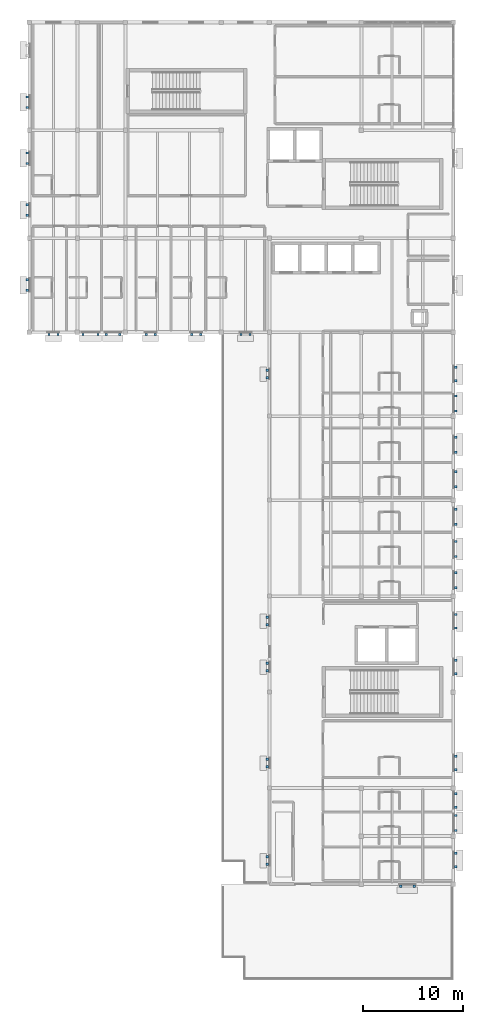
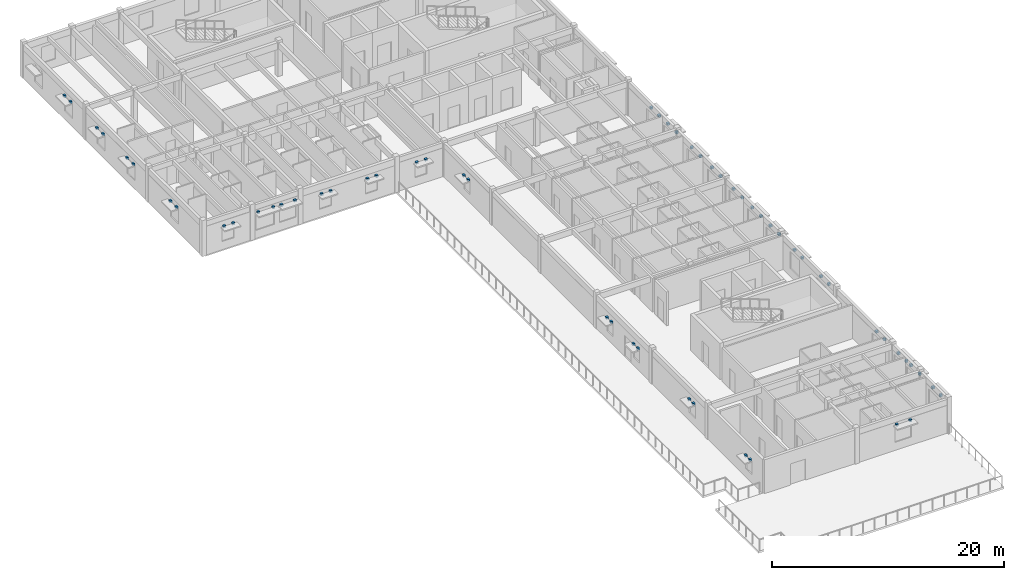
# One storey, part 12 of 18: 58 discrete accessories.
"""IFC4 building model written with IfcOpenShell, lengths in metres."""

from ifc_helpers import new_model, si_unit, direction, frame, origin, origin_2d, place, context, subcontext, project, spatial, rectangle, extrude, material, type_object, element, save


model = new_model("IFC4")

# Units and contexts
model_context = context("Model", 3, precision=1e-05, world=origin(), true_north=direction((0.0, 1.0)))
body_context = subcontext(model_context, "Body", "Model", "MODEL_VIEW")
ifc_project = project(units=[si_unit("LENGTHUNIT", "METRE"), si_unit("AREAUNIT", "SQUARE_METRE"), si_unit("VOLUMEUNIT", "CUBIC_METRE"), si_unit("PLANEANGLEUNIT", "RADIAN"), si_unit("MASSUNIT", "GRAM", prefix="KILO")], contexts=[model_context])

# Site, building, storey
site_placement = place(None, origin())
site = spatial("IfcSite", under=ifc_project, at=site_placement, CompositionType="ELEMENT")
building_placement = place(site_placement, origin())
building = spatial("IfcBuilding", under=site, at=building_placement, Name="Veldera Park Congress Hotel", CompositionType="ELEMENT")
storey_placement = place(building_placement, frame((0.0, 0.0, 31.39990234375)))
storey = spatial("IfcBuildingStorey", under=building, at=storey_placement, Name="L07", CompositionType="ELEMENT", Elevation=31.39990234375)

# Discrete accessories
ifc_material = material(Name="Steel ASTM A992 Gr.50", Category="steel")
discrete_accessory_type = type_object("IfcDiscreteAccessoryType", Name="ACC-BRK160", PredefinedType="BRACKET", material=ifc_material)
for number, where, z_axis, x_axis, name in (
    (1, (78.72509765625, -28.429931640625, 2.6201171875), (0.0, 0.0, 1.0), (1.0, 0.0, 0.0), "Shading Steel Outrigger Bracket 187L"),
    (2, (80.074951171875, -28.429931640625, 2.6201171875), (0.0, 0.0, 1.0), (1.0, 0.0, 0.0), "Shading Steel Outrigger Bracket 187R"),
    (3, (84.22998046875, -26.47509765625, 2.6201171875), (0.0, 0.0, 1.0), (0.0, 1.0, 0.0), "Shading Steel Outrigger Bracket 188L"),
    (4, (84.22998046875, -25.125, 2.6201171875), (0.0, 0.0, 1.0), (0.0, 1.0, 0.0), "Shading Steel Outrigger Bracket 188R"),
    (5, (84.22998046875, -16.763427734375, 2.6201171875), (0.0, 0.0, 1.0), (0.0, 1.0, 0.0), "Shading Steel Outrigger Bracket 189L"),
    (6, (84.22998046875, -15.41357421875, 2.6201171875), (0.0, 0.0, 1.0), (0.0, 1.0, 0.0), "Shading Steel Outrigger Bracket 189R"),
    (7, (84.22998046875, -7.16357421875, 2.6201171875), (0.0, 0.0, 1.0), (0.0, 1.0, 0.0), "Shading Steel Outrigger Bracket 190L"),
    (8, (84.22998046875, -5.8134765625, 2.6201171875), (0.0, 0.0, 1.0), (0.0, 1.0, 0.0), "Shading Steel Outrigger Bracket 190R"),
    (9, (84.22998046875, -2.58642578125, 2.6201171875), (0.0, 0.0, 1.0), (0.0, 1.0, 0.0), "Shading Steel Outrigger Bracket 191L"),
    (10, (84.22998046875, -1.236572265625, 2.6201171875), (0.0, 0.0, 1.0), (0.0, 1.0, 0.0), "Shading Steel Outrigger Bracket 191R"),
    (11, (84.22998046875, 22.125, 2.6201171875), (0.0, 0.0, 1.0), (0.0, 1.0, 0.0), "Shading Steel Outrigger Bracket 192L"),
    (12, (84.22998046875, 23.47509765625, 2.6201171875), (0.0, 0.0, 1.0), (0.0, 1.0, 0.0), "Shading Steel Outrigger Bracket 192R"),
    (13, (41.3701171875, 50.525146484375, 2.47021484375), (0.0, 0.0, 1.0), (0.0, -1.0, 0.0), "Shading Steel Outrigger Bracket 196L"),
    (14, (41.3701171875, 49.47509765625, 2.47021484375), (0.0, 0.0, 1.0), (0.0, -1.0, 0.0), "Shading Steel Outrigger Bracket 196R"),
    (15, (41.3701171875, 44.9208984375, 2.47021484375), (0.0, 0.0, 1.0), (0.0, -1.0, 0.0), "Shading Steel Outrigger Bracket 197L"),
    (16, (41.3701171875, 43.87109375, 2.47021484375), (0.0, 0.0, 1.0), (0.0, -1.0, 0.0), "Shading Steel Outrigger Bracket 197R"),
    (17, (41.3701171875, 39.72900390625, 2.47021484375), (0.0, 0.0, 1.0), (0.0, -1.0, 0.0), "Shading Steel Outrigger Bracket 198L"),
    (18, (41.3701171875, 38.678955078125, 2.47021484375), (0.0, 0.0, 1.0), (0.0, -1.0, 0.0), "Shading Steel Outrigger Bracket 198R"),
    (19, (41.3701171875, 32.232421875, 2.47021484375), (0.0, 0.0, 1.0), (0.0, -1.0, 0.0), "Shading Steel Outrigger Bracket 199L"),
    (20, (41.3701171875, 31.1826171875, 2.47021484375), (0.0, 0.0, 1.0), (0.0, -1.0, 0.0), "Shading Steel Outrigger Bracket 199R"),
    (21, (43.550048828125, 26.77001953125, 2.3701171875), (0.0, 0.0, 1.0), (1.0, 0.0, 0.0), "Shading Steel Outrigger Bracket 200L"),
    (22, (44.449951171875, 26.77001953125, 2.3701171875), (0.0, 0.0, 1.0), (1.0, 0.0, 0.0), "Shading Steel Outrigger Bracket 200R"),
    (23, (53.261474609375, 26.77001953125, 2.3701171875), (0.0, 0.0, 1.0), (1.0, 0.0, 0.0), "Shading Steel Outrigger Bracket 201L"),
    (24, (54.16162109375, 26.77001953125, 2.3701171875), (0.0, 0.0, 1.0), (1.0, 0.0, 0.0), "Shading Steel Outrigger Bracket 201R"),
    (25, (57.83837890625, 26.77001953125, 2.3701171875), (0.0, 0.0, 1.0), (1.0, 0.0, 0.0), "Shading Steel Outrigger Bracket 202L"),
    (26, (58.738525390625, 26.77001953125, 2.3701171875), (0.0, 0.0, 1.0), (1.0, 0.0, 0.0), "Shading Steel Outrigger Bracket 202R"),
    (27, (62.757568359375, 26.77001953125, 2.3701171875), (0.0, 0.0, 1.0), (1.0, 0.0, 0.0), "Shading Steel Outrigger Bracket 203L"),
    (28, (63.657470703125, 26.77001953125, 2.3701171875), (0.0, 0.0, 1.0), (1.0, 0.0, 0.0), "Shading Steel Outrigger Bracket 203R"),
    (29, (65.3701171875, 23.175048828125, 2.27001953125), (0.0, 0.0, 1.0), (0.0, -1.0, 0.0), "Shading Steel Outrigger Bracket 204L"),
    (30, (65.3701171875, 22.425048828125, 2.27001953125), (0.0, 0.0, 1.0), (0.0, -1.0, 0.0), "Shading Steel Outrigger Bracket 204R"),
    (31, (65.3701171875, -1.529052734375, 2.27001953125), (0.0, 0.0, 1.0), (0.0, -1.0, 0.0), "Shading Steel Outrigger Bracket 205L"),
    (32, (65.3701171875, -2.279052734375, 2.27001953125), (0.0, 0.0, 1.0), (0.0, -1.0, 0.0), "Shading Steel Outrigger Bracket 205R"),
    (33, (65.3701171875, -6.12109375, 2.27001953125), (0.0, 0.0, 1.0), (0.0, -1.0, 0.0), "Shading Steel Outrigger Bracket 206L"),
    (34, (65.3701171875, -6.87109375, 2.27001953125), (0.0, 0.0, 1.0), (0.0, -1.0, 0.0), "Shading Steel Outrigger Bracket 206R"),
    (35, (65.3701171875, -15.720947265625, 2.27001953125), (0.0, 0.0, 1.0), (0.0, -1.0, 0.0), "Shading Steel Outrigger Bracket 207L"),
    (36, (65.3701171875, -16.470947265625, 2.27001953125), (0.0, 0.0, 1.0), (0.0, -1.0, 0.0), "Shading Steel Outrigger Bracket 207R"),
    (37, (65.3701171875, -25.47705078125, 2.27001953125), (0.0, 0.0, 1.0), (0.0, -1.0, 0.0), "Shading Steel Outrigger Bracket 208L"),
    (38, (65.3701171875, -26.22705078125, 2.27001953125), (0.0, 0.0, 1.0), (0.0, -1.0, 0.0), "Shading Steel Outrigger Bracket 208R"),
    (39, (84.22998046875, -22.843505859375, 2.669921875), (0.0, 0.0, 1.0), (0.0, 1.0, 0.0), "Shading Steel Outrigger Bracket 456L"),
    (40, (84.22998046875, -21.343505859375, 2.669921875), (0.0, 0.0, 1.0), (0.0, 1.0, 0.0), "Shading Steel Outrigger Bracket 456R"),
    (41, (84.22998046875, -20.531494140625, 2.6201171875), (0.0, 0.0, 1.0), (0.0, 1.0, 0.0), "Shading Steel Outrigger Bracket 457L"),
    (42, (84.22998046875, -19.181396484375, 2.6201171875), (0.0, 0.0, 1.0), (0.0, 1.0, 0.0), "Shading Steel Outrigger Bracket 457R"),
    (43, (84.22998046875, 1.41650390625, 2.669921875), (0.0, 0.0, 1.0), (0.0, 1.0, 0.0), "Shading Steel Outrigger Bracket 458L"),
    (44, (84.22998046875, 2.91650390625, 2.669921875), (0.0, 0.0, 1.0), (0.0, 1.0, 0.0), "Shading Steel Outrigger Bracket 458R"),
    (45, (84.22998046875, 4.56005859375, 2.669921875), (0.0, 0.0, 1.0), (0.0, 1.0, 0.0), "Shading Steel Outrigger Bracket 459L"),
    (46, (84.22998046875, 6.06005859375, 2.669921875), (0.0, 0.0, 1.0), (0.0, 1.0, 0.0), "Shading Steel Outrigger Bracket 459R"),
    (47, (84.22998046875, 7.79345703125, 2.669921875), (0.0, 0.0, 1.0), (0.0, 1.0, 0.0), "Shading Steel Outrigger Bracket 460L"),
    (48, (84.22998046875, 9.29345703125, 2.669921875), (0.0, 0.0, 1.0), (0.0, 1.0, 0.0), "Shading Steel Outrigger Bracket 460R"),
    (49, (84.22998046875, 11.52001953125, 2.669921875), (0.0, 0.0, 1.0), (0.0, 1.0, 0.0), "Shading Steel Outrigger Bracket 461L"),
    (50, (84.22998046875, 13.02001953125, 2.669921875), (0.0, 0.0, 1.0), (0.0, 1.0, 0.0), "Shading Steel Outrigger Bracket 461R"),
    (51, (84.22998046875, 15.0, 2.669921875), (0.0, 0.0, 1.0), (0.0, 1.0, 0.0), "Shading Steel Outrigger Bracket 462L"),
    (52, (84.22998046875, 16.5, 2.669921875), (0.0, 0.0, 1.0), (0.0, 1.0, 0.0), "Shading Steel Outrigger Bracket 462R"),
    (53, (84.22998046875, 19.116455078125, 2.669921875), (0.0, 0.0, 1.0), (0.0, 1.0, 0.0), "Shading Steel Outrigger Bracket 463L"),
    (54, (84.22998046875, 20.616455078125, 2.669921875), (0.0, 0.0, 1.0), (0.0, 1.0, 0.0), "Shading Steel Outrigger Bracket 463R"),
    (55, (46.95654296875, 26.77001953125, 2.669921875), (0.0, 0.0, 1.0), (1.0, 0.0, 0.0), "Shading Steel Outrigger Bracket 464L"),
    (56, (48.45654296875, 26.77001953125, 2.669921875), (0.0, 0.0, 1.0), (1.0, 0.0, 0.0), "Shading Steel Outrigger Bracket 464R"),
    (57, (49.2685546875, 26.77001953125, 2.6201171875), (0.0, 0.0, 1.0), (1.0, 0.0, 0.0), "Shading Steel Outrigger Bracket 465L"),
    (58, (50.618408203125, 26.77001953125, 2.6201171875), (0.0, 0.0, 1.0), (1.0, 0.0, 0.0), "Shading Steel Outrigger Bracket 465R"),
):
    element("IfcDiscreteAccessory", number, at=place(storey_placement, frame(where, z_axis=z_axis, x_axis=x_axis)), inside=storey, type_object=discrete_accessory_type, Name=name, PredefinedType="BRACKET", context=body_context, shape_type="SweptSolid", body=[
        extrude(rectangle(XDim=0.239990234375, YDim=0.239990234375, at=origin_2d()), origin(), (0.0, 0.0, 1.0), 0.219970703125),
    ])

save(model, "model.ifc")
